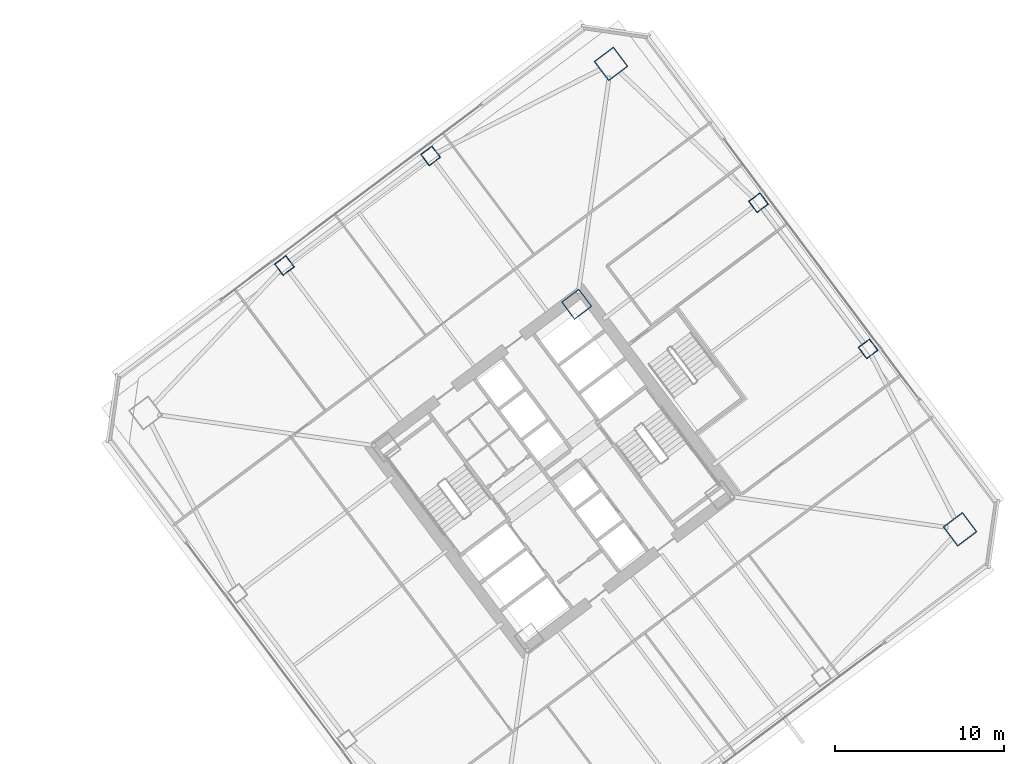
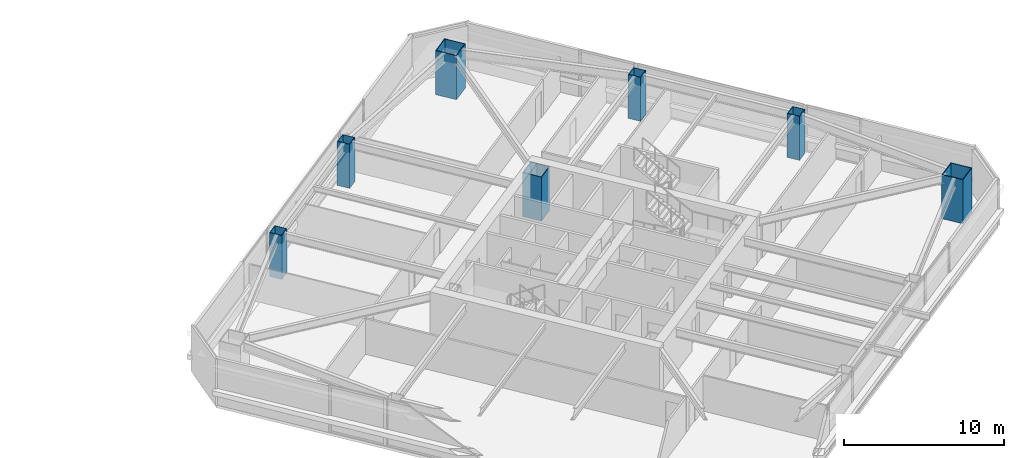
# One storey, part 2 of 44: 7 columns.
"""IFC4 building model written with IfcOpenShell, lengths in metres."""

from ifc_helpers import new_model, si_unit, direction, frame, origin, origin_2d, place, context, subcontext, project, spatial, hollow_rectangle, extrude, material, material_profile, profile_set, type_object, element, save


model = new_model("IFC4")

# Units and contexts
model_context = context("Model", 3, precision=1e-05, world=origin(), true_north=direction((0.0, 1.0)))
body_context = subcontext(model_context, "Body", "Model", "MODEL_VIEW")
ifc_project = project(units=[si_unit("LENGTHUNIT", "METRE"), si_unit("AREAUNIT", "SQUARE_METRE"), si_unit("VOLUMEUNIT", "CUBIC_METRE"), si_unit("PLANEANGLEUNIT", "RADIAN"), si_unit("MASSUNIT", "GRAM", prefix="KILO")], contexts=[model_context])

# Site, building, storey
site_placement = place(None, origin())
site = spatial("IfcSite", under=ifc_project, at=site_placement, CompositionType="ELEMENT")
building_placement = place(site_placement, origin())
building = spatial("IfcBuilding", under=site, at=building_placement, Name="Tashvorn Skyway Center", CompositionType="ELEMENT")
storey_placement = place(building_placement, frame((0.0, 0.0, 74.300048828125)))
storey = spatial("IfcBuildingStorey", under=building, at=storey_placement, Name="L19", CompositionType="ELEMENT", Elevation=74.300048828125)

# Columns
ifc_material = material(Name="Steel ASTM A572 Grade 50", Category="steel")
ifc_material_profile_1 = material_profile(ifc_material, hollow_rectangle(XDim=1.300048828125, YDim=1.300048828125, WallThickness=0.050048828125, at=origin_2d()), Name="BOX1300x1300x50")
ifc_profile_set_1 = profile_set([ifc_material_profile_1], Name="Steel ASTM A572 Grade 50")
column_type_1 = type_object("IfcColumnType", Name="COL-BOX1300x1300x50", PredefinedType="COLUMN", material=ifc_profile_set_1)
column_placement = place(storey_placement, frame((115.409912109375, 41.8701171875, 0.0), z_axis=(0.0, 0.0, 1.0), x_axis=(0.799999996291, 0.600000004945, 0.0)))
element("IfcColumn", 1, at=column_placement, inside=storey, type_object=column_type_1, Name="Tower 2 L19 Core Corner Column CC-NE", PredefinedType="COLUMN", context=body_context, shape_type="SweptSolid", body=[
    extrude(hollow_rectangle(XDim=1.300048828125, YDim=1.300048828125, WallThickness=0.050048828125, at=origin_2d()), origin(), (0.0, 0.0, 1.0), 3.349853515625),
])
ifc_material_profile_2 = material_profile(ifc_material, hollow_rectangle(XDim=1.449951171875, YDim=1.449951171875, WallThickness=0.054931640625, at=origin_2d()), Name="BOX1450x1450x55")
ifc_profile_set_2 = profile_set([ifc_material_profile_2], Name="Steel ASTM A572 Grade 50")
column_type_2 = type_object("IfcColumnType", Name="COL-BOX1450x1450x55", PredefinedType="COLUMN", material=ifc_profile_set_2)
for number, where, z_axis, x_axis, name in (
    (2, (138.080078125, 28.56005859375, 0.0), (0.0, 0.0, 1.0), (0.799999996291, 0.600000004945, 0.0), "Tower 2 L19 Mega-Column MC-SE"),
    (3, (117.43994140625, 56.080078125, 0.0), (0.0, 0.0, 1.0), (0.799999996291, 0.600000004945, 0.0), "Tower 2 L19 Mega-Column MC-NE"),
):
    element("IfcColumn", number, at=place(storey_placement, frame(where, z_axis=z_axis, x_axis=x_axis)), inside=storey, type_object=column_type_2, Name=name, PredefinedType="COLUMN", context=body_context, shape_type="SweptSolid", body=[
        extrude(hollow_rectangle(XDim=1.449951171875, YDim=1.449951171875, WallThickness=0.054931640625, at=origin_2d()), origin(), (0.0, 0.0, 1.0), 3.349853515625),
    ])
ifc_material_profile_3 = material_profile(ifc_material, hollow_rectangle(XDim=0.85009765625, YDim=0.85009765625, WallThickness=0.034912109375, at=origin_2d()), Name="BOX850x850x35")
ifc_profile_set_3 = profile_set([ifc_material_profile_3], Name="Steel ASTM A572 Grade 50")
column_type_3 = type_object("IfcColumnType", Name="COL-BOX850x850x35", PredefinedType="COLUMN", material=ifc_profile_set_3)
for number, where, z_axis, x_axis, name in (
    (4, (132.639892578125, 39.22998046875, 0.0), (0.0, 0.0, 1.0), (0.799999996291, 0.600000004945, 0.0), "Tower 2 L19 Perimeter Column FC-E1"),
    (5, (126.159912109375, 47.8701171875, 0.0), (0.0, 0.0, 1.0), (0.799999996291, 0.600000004945, 0.0), "Tower 2 L19 Perimeter Column FC-E2"),
    (6, (106.77001953125, 50.639892578125, 0.0), (0.0, 0.0, 1.0), (0.799999996291, 0.600000004945, 0.0), "Tower 2 L19 Perimeter Column FC-N1"),
    (7, (98.1298828125, 44.159912109375, 0.0), (0.0, 0.0, 1.0), (0.799999996291, 0.600000004945, 0.0), "Tower 2 L19 Perimeter Column FC-N2"),
):
    element("IfcColumn", number, at=place(storey_placement, frame(where, z_axis=z_axis, x_axis=x_axis)), inside=storey, type_object=column_type_3, Name=name, PredefinedType="COLUMN", context=body_context, shape_type="SweptSolid", body=[
        extrude(hollow_rectangle(XDim=0.85009765625, YDim=0.85009765625, WallThickness=0.034912109375, at=origin_2d()), origin(), (0.0, 0.0, 1.0), 3.349853515625),
    ])

save(model, "model.ifc")
